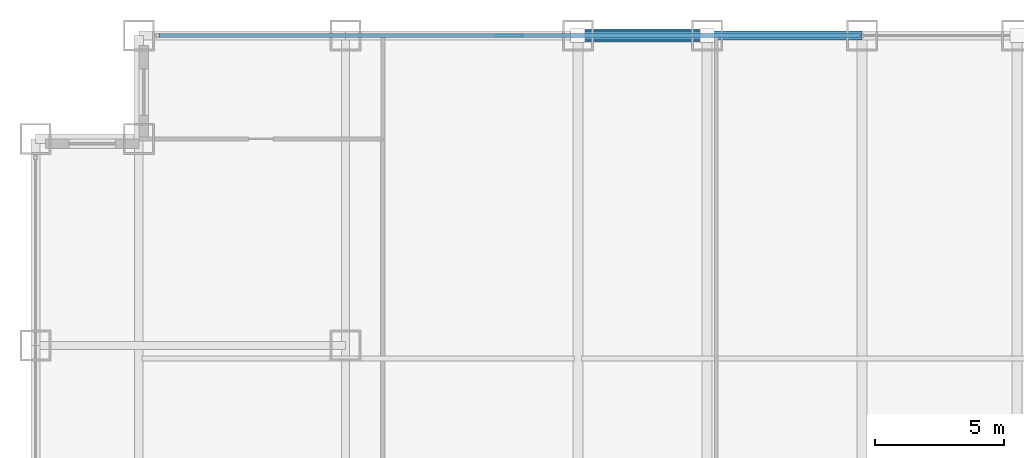
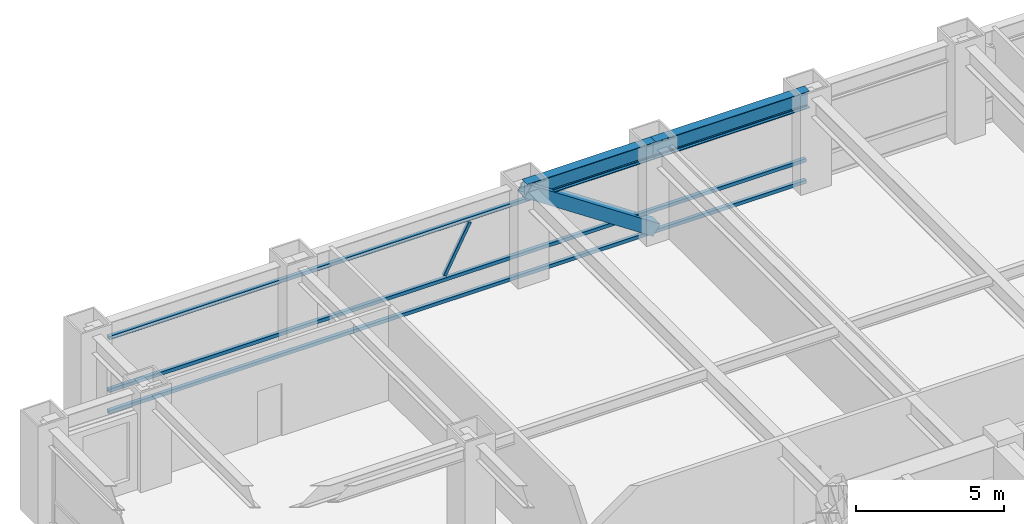
# One storey, part 18 of 28: 5 members, 2 beams, 1 element without a shape of its own.
"""IFC4 building model written with IfcOpenShell, lengths in metres."""

from ifc_helpers import new_model, si_unit, direction, frame, origin, origin_2d, place, context, subcontext, project, spatial, hollow_rectangle, i_section, extrude, source, transform, mapped, material, material_profile, profile_set, type_object, element, aggregate, save


model = new_model("IFC4")

# Units and contexts
model_context = context("Model", 3, precision=1e-05, world=origin(), true_north=direction((0.0, 1.0)))
body_context = subcontext(model_context, "Body", "Model", "MODEL_VIEW")
ifc_project = project(units=[si_unit("LENGTHUNIT", "METRE"), si_unit("AREAUNIT", "SQUARE_METRE"), si_unit("VOLUMEUNIT", "CUBIC_METRE"), si_unit("PLANEANGLEUNIT", "RADIAN"), si_unit("MASSUNIT", "GRAM", prefix="KILO")], contexts=[model_context])

# Site, building, storey
site_placement = place(None, origin())
site = spatial("IfcSite", under=ifc_project, at=site_placement, CompositionType="ELEMENT")
building_placement = place(site_placement, origin())
building = spatial("IfcBuilding", under=site, at=building_placement, Name="Khorayat Bourse Tower", CompositionType="ELEMENT")
storey_placement = place(building_placement, frame((0.0, 0.0, 124.199951171875)))
storey = spatial("IfcBuildingStorey", under=building, at=storey_placement, Name="L28", CompositionType="ELEMENT", Elevation=124.199951171875)

# Beams
ifc_material_1 = material(Name="Steel ASTM A992 Grade 50", Category="steel")
ifc_material_profile_1 = material_profile(ifc_material_1, i_section(OverallWidth=0.35498046875, OverallDepth=0.695068359375, WebThickness=0.015380859375, FlangeThickness=0.02490234375, FilletRadius=0.01806640625, at=origin_2d()), Name="W690X217")
ifc_profile_set_1 = profile_set([ifc_material_profile_1], Name="Steel ASTM A992 Grade 50")
beam_type = type_object("IfcBeamType", Name="BM-SPAN-690", PredefinedType="SPANDREL", material=ifc_profile_set_1)
shared_shape_1 = source(origin(), body_context, "Body", "SweptSolid", [
    extrude(i_section(OverallWidth=0.35498046875, OverallDepth=0.695068359375, WebThickness=0.015380859375, FlangeThickness=0.02490234375, FilletRadius=0.01806640625, at=origin_2d()), origin(), (0.0, 0.0, 1.0), 5.0),
])
beam_1_placement = place(storey_placement, frame((-11.0, 32.0, 3.492431640625), z_axis=(1.0, 0.0, 0.0), x_axis=(0.0, 1.0, 0.0)))
element("IfcBeam", 1, at=beam_1_placement, inside=storey, type_object=beam_type, Name="L28 BM-SPAN-690 BM-L28-SPN-049", PredefinedType="SPANDREL", context=body_context, shape_type="MappedRepresentation", body=[
    mapped(shared_shape_1, transform((0.0, 0.0, 0.0), scale=1.0)),
])
shared_shape_2 = source(origin(), body_context, "Body", "SweptSolid", [
    extrude(i_section(OverallWidth=0.35498046875, OverallDepth=0.695068359375, WebThickness=0.015380859375, FlangeThickness=0.02490234375, FilletRadius=0.01806640625, at=origin_2d()), origin(), (0.0, 0.0, 1.0), 6.0),
])
beam_2_placement = place(storey_placement, frame((-6.0, 32.0, 3.492431640625), z_axis=(1.0, 0.0, 0.0), x_axis=(0.0, 1.0, 0.0)))
element("IfcBeam", 2, at=beam_2_placement, inside=storey, type_object=beam_type, Name="L28 BM-SPAN-690 BM-L28-SPN-048", PredefinedType="SPANDREL", context=body_context, shape_type="MappedRepresentation", body=[
    mapped(shared_shape_2, transform((0.0, 0.0, 0.0), scale=1.0)),
])

# Member
ifc_material_2 = material(Name="Steel EN 10025-4 S460M", Category="steel")
ifc_material_profile_2 = material_profile(ifc_material_2, hollow_rectangle(XDim=0.5, YDim=0.5, WallThickness=0.028076171875, at=origin_2d()), Name="HSS 500x500x28")
ifc_profile_set_2 = profile_set([ifc_material_profile_2], Name="Steel EN 10025-4 S460M")
member_type_1 = type_object("IfcMemberType", Name="MBR-TUBE-500", PredefinedType="BRACE", material=ifc_profile_set_2)
shared_shape_3 = source(origin(), body_context, "Body", "SweptSolid", [
    extrude(hollow_rectangle(XDim=0.5, YDim=0.5, WallThickness=0.028076171875, at=origin_2d()), origin(), (0.0, 0.0, 1.0), 6.012939453125),
])
member_1_placement = place(storey_placement, frame((-11.0, 32.0, 3.590087890625), z_axis=(0.831531473026, 0.0, -0.555477640745), x_axis=(0.0, 1.0, 0.0)))
element("IfcMember", 3, at=member_1_placement, inside=storey, type_object=member_type_1, Name="L28 Perimeter Tube Brace 03", PredefinedType="BRACE", context=body_context, shape_type="MappedRepresentation", body=[
    mapped(shared_shape_3, transform((0.0, 0.0, 0.0), scale=1.0)),
])

# Curtain wall, members
ifc_material_3 = material(Name="Aluminium EN AW-6063 T6", Category="aluminium")
curtain_wall_type = type_object("IfcCurtainWallType", Name="CW-SYS-02", PredefinedType="NOTDEFINED", material=ifc_material_3)
curtain_wall_placement = place(storey_placement, origin())
curtain_wall = element("IfcCurtainWall", 4, at=curtain_wall_placement, inside=storey, type_object=curtain_wall_type, Name="L28 Curtain Wall CW-L28-N1", PredefinedType="NOTDEFINED")
ifc_material_profile_3 = material_profile(ifc_material_3, hollow_rectangle(XDim=0.139892578125, YDim=0.139892578125, WallThickness=0.006103515625, at=origin_2d()), Name="ALU 140x140x6")
ifc_profile_set_3 = profile_set([ifc_material_profile_3], Name="Aluminium EN AW-6063 T6")
member_type_2 = type_object("IfcMemberType", Name="CWT-HORZ-140", PredefinedType="USERDEFINED", material=ifc_profile_set_3)
shared_shape_4 = source(origin(), body_context, "Body", "SweptSolid", [
    extrude(hollow_rectangle(XDim=0.139892578125, YDim=0.139892578125, WallThickness=0.006103515625, at=origin_2d()), origin(), (0.0, 0.0, 1.0), 27.139892578125),
])
member_2_placement = place(storey_placement, frame((-27.2099609375, 32.0, 0.070068359375), z_axis=(1.0, 0.0, 0.0), x_axis=(0.0, 1.0, 0.0)))
member_2 = element("IfcMember", 5, at=member_2_placement, type_object=member_type_2, Name="CW-L28-N1 Horizontal Transom 1-1", ObjectType="TRANSOM", PredefinedType="USERDEFINED", context=body_context, shape_type="MappedRepresentation", body=[
    mapped(shared_shape_4, transform((0.0, 0.0, 0.0), scale=1.0)),
])
member_3_placement = place(storey_placement, frame((-27.2099609375, 32.0, 0.949951171875), z_axis=(1.0, 0.0, 0.0), x_axis=(0.0, 1.0, 0.0)))
member_3 = element("IfcMember", 6, at=member_3_placement, type_object=member_type_2, Name="CW-L28-N1 Horizontal Transom 1-2", ObjectType="TRANSOM", PredefinedType="USERDEFINED", context=body_context, shape_type="MappedRepresentation", body=[
    mapped(shared_shape_4, transform((0.0, 0.0, 0.0), scale=1.0)),
])
member_4_placement = place(storey_placement, frame((-27.2099609375, 32.0, 3.1201171875), z_axis=(1.0, 0.0, 0.0), x_axis=(0.0, 1.0, 0.0)))
member_4 = element("IfcMember", 7, at=member_4_placement, type_object=member_type_2, Name="CW-L28-N1 Horizontal Transom 1-3", ObjectType="TRANSOM", PredefinedType="USERDEFINED", context=body_context, shape_type="MappedRepresentation", body=[
    mapped(shared_shape_4, transform((0.0, 0.0, 0.0), scale=1.0)),
])
ifc_material_profile_4 = material_profile(ifc_material_3, hollow_rectangle(XDim=0.1201171875, YDim=0.1201171875, WallThickness=0.0048828125, at=origin_2d()), Name="ALU 120x120x5")
ifc_profile_set_4 = profile_set([ifc_material_profile_4], Name="Aluminium EN AW-6063 T6")
member_type_3 = type_object("IfcMemberType", Name="CWM-DIAG-120", PredefinedType="MULLION", material=ifc_profile_set_4)
shared_shape_5 = source(origin(), body_context, "Body", "SweptSolid", [
    extrude(hollow_rectangle(XDim=0.1201171875, YDim=0.1201171875, WallThickness=0.0048828125, at=origin_2d()), origin(), (0.0, 0.0, 1.0), 2.113037109375),
])
member_5_placement = place(storey_placement, frame((-14.132080078125, 32.0, 1.10009765625), z_axis=(0.465741670874, 0.0, 0.884920728659), x_axis=(0.0, 1.0, 0.0)))
member_5 = element("IfcMember", 8, at=member_5_placement, type_object=member_type_3, Name="CW-L28-N1 Faceted Diagonal Mullion 1", PredefinedType="MULLION", context=body_context, shape_type="MappedRepresentation", body=[
    mapped(shared_shape_5, transform((0.0, 0.0, 0.0), scale=1.0)),
])
aggregate(curtain_wall, [member_2, member_3, member_4, member_5])

save(model, "model.ifc")
